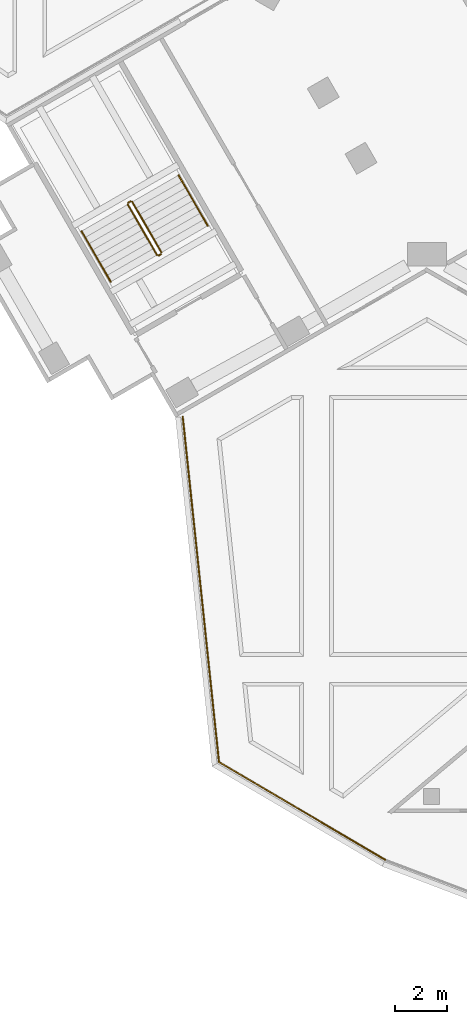
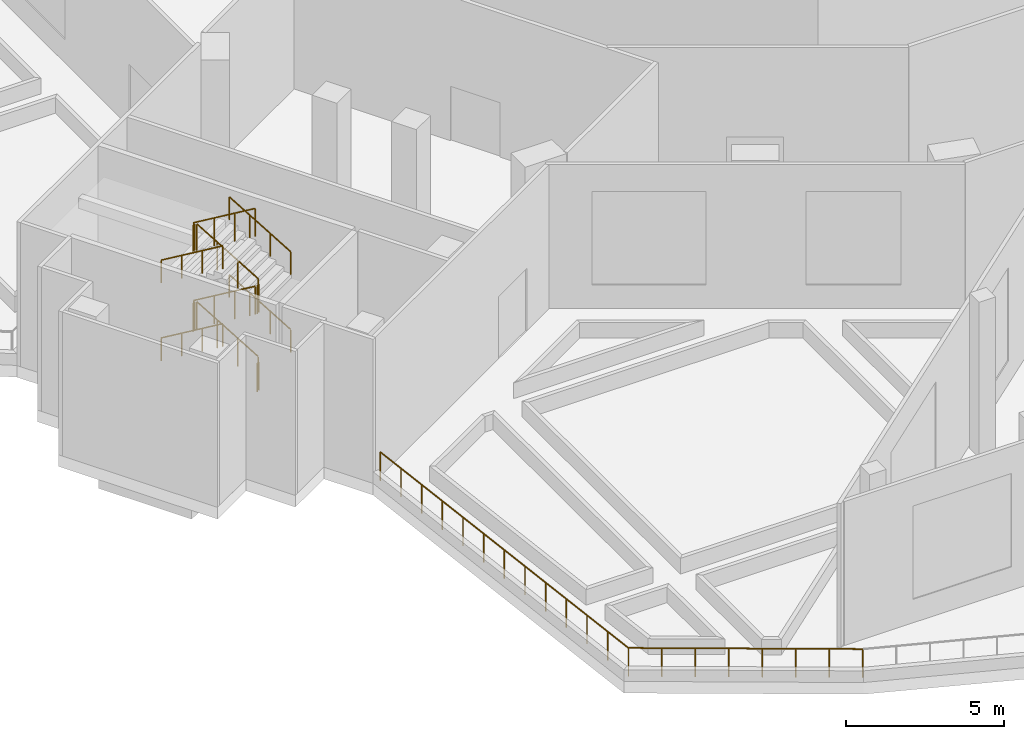
# One storey, part 23 of 29: 14 railings.
"""IFC4 building model written with IfcOpenShell, lengths in metres."""

from ifc_helpers import new_model, si_unit, direction, frame, origin, origin_2d, place, context, subcontext, project, spatial, circle, extrude, material, type_object, element, save


model = new_model("IFC4")

# Units and contexts
model_context = context("Model", 3, precision=1e-05, world=origin(), true_north=direction((0.0, 1.0)))
body_context = subcontext(model_context, "Body", "Model", "MODEL_VIEW")
ifc_project = project(units=[si_unit("LENGTHUNIT", "METRE"), si_unit("AREAUNIT", "SQUARE_METRE"), si_unit("VOLUMEUNIT", "CUBIC_METRE"), si_unit("PLANEANGLEUNIT", "RADIAN"), si_unit("MASSUNIT", "GRAM", prefix="KILO")], contexts=[model_context])

# Site, building, storey
site_placement = place(None, origin())
site = spatial("IfcSite", under=ifc_project, at=site_placement, CompositionType="ELEMENT")
building_placement = place(site_placement, origin())
building = spatial("IfcBuilding", under=site, at=building_placement, Name="Verdalira Terraces Hotel", CompositionType="ELEMENT")
storey_placement = place(building_placement, frame((0.0, 0.0, 8.0)))
storey = spatial("IfcBuildingStorey", under=building, at=storey_placement, Name="L01", CompositionType="ELEMENT", Elevation=8.0)

# Railings
ifc_material_1 = material(Name="Stainless steel", Category="steel")
railing_type_1 = type_object("IfcRailingType", Name="Stair guard 1100", PredefinedType="GUARDRAIL", material=ifc_material_1)
railing_1_placement = place(storey_placement, frame((-27.944092, -16.999512, 0.166748)))
element("IfcRailing", 1, at=railing_1_placement, inside=storey, type_object=railing_type_1, Name="L01 PS2 stair guard 1", PredefinedType="GUARDRAIL", context=body_context, shape_type="SweptSolid", body=[
    extrude(circle(Radius=0.023926, at=origin_2d()), frame((0.0, 0.0, 1.076172), z_axis=(-0.429608132, 0.744204538, 0.511465012), x_axis=(-0.866054911, -0.499948889, 0.0)), (0.0, 0.0, 1.0), 2.606689),
    extrude(circle(Radius=0.020996, at=origin_2d()), origin(), (0.0, 0.0, 1.0), 1.052002),
    extrude(circle(Radius=0.020996, at=origin_2d()), frame((-0.373291, 0.646729, 0.444336)), (0.0, 0.0, 1.0), 1.052002),
    extrude(circle(Radius=0.020996, at=origin_2d()), frame((-0.746582, 1.293213, 0.888916)), (0.0, 0.0, 1.0), 1.052002),
    extrude(circle(Radius=0.020996, at=origin_2d()), frame((-1.119873, 1.939941, 1.333252)), (0.0, 0.0, 1.0), 1.052002),
])
railing_2_placement = place(storey_placement, frame((-29.132324, -15.04126, 1.5)))
element("IfcRailing", 2, at=railing_2_placement, inside=storey, type_object=railing_type_1, Name="L01 PS2 stair guard 2", PredefinedType="GUARDRAIL", context=body_context, shape_type="SweptSolid", body=[
    extrude(circle(Radius=0.023926, at=origin_2d()), frame((0.0, 0.0, 1.076172), z_axis=(-0.865982458, -0.500074377, 0.0), x_axis=(0.500074377, -0.865982458, 0.0)), (0.0, 0.0, 1.0), 0.100098),
    extrude(circle(Radius=0.020996, at=origin_2d()), origin(), (0.0, 0.0, 1.0), 1.052002),
    extrude(circle(Radius=0.020996, at=origin_2d()), frame((-0.08667, -0.050049, 0.0)), (0.0, 0.0, 1.0), 1.052002),
])
railing_3_placement = place(storey_placement, frame((-29.237305, -15.159668, 1.666748)))
element("IfcRailing", 3, at=railing_3_placement, inside=storey, type_object=railing_type_1, Name="L01 PS2 stair guard 3", PredefinedType="GUARDRAIL", context=body_context, shape_type="SweptSolid", body=[
    extrude(circle(Radius=0.023926, at=origin_2d()), frame((0.0, 0.0, 1.076172), z_axis=(0.429684499, -0.744174593, 0.511444431), x_axis=(0.866007717, 0.500030633, 0.0)), (0.0, 0.0, 1.0), 2.606934),
    extrude(circle(Radius=0.020996, at=origin_2d()), origin(), (0.0, 0.0, 1.0), 1.052002),
    extrude(circle(Radius=0.020996, at=origin_2d()), frame((0.373291, -0.646729, 0.444336)), (0.0, 0.0, 1.0), 1.052002),
    extrude(circle(Radius=0.020996, at=origin_2d()), frame((0.746826, -1.293213, 0.888916)), (0.0, 0.0, 1.0), 1.052002),
    extrude(circle(Radius=0.020996, at=origin_2d()), frame((1.120117, -1.939941, 1.333252)), (0.0, 0.0, 1.0), 1.052002),
])
railing_4_placement = place(storey_placement, frame((-27.962402, -17.067871, 3.0)))
element("IfcRailing", 4, at=railing_4_placement, inside=storey, type_object=railing_type_1, Name="L01 PS2 stair guard 4", PredefinedType="GUARDRAIL", context=body_context, shape_type="SweptSolid", body=[
    extrude(circle(Radius=0.023926, at=origin_2d()), frame((0.0, 0.0, 1.076172), z_axis=(-0.865370492, -0.501132629, 0.0), x_axis=(0.501132629, -0.865370492, 0.0)), (0.0, 0.0, 1.0), 0.099854),
    extrude(circle(Radius=0.020996, at=origin_2d()), origin(), (0.0, 0.0, 1.0), 1.052002),
    extrude(circle(Radius=0.020996, at=origin_2d()), frame((-0.086426, -0.050049, 0.0)), (0.0, 0.0, 1.0), 1.052002),
])
railing_5_placement = place(storey_placement, frame((-27.944092, -16.999512, 3.166748)))
element("IfcRailing", 5, at=railing_5_placement, inside=storey, type_object=railing_type_1, Name="L01 PS2 stair guard 5", PredefinedType="GUARDRAIL", context=body_context, shape_type="SweptSolid", body=[
    extrude(circle(Radius=0.023926, at=origin_2d()), frame((0.0, 0.0, 1.076172), z_axis=(-0.429608132, 0.744204538, 0.511465012), x_axis=(-0.866054911, -0.499948889, 0.0)), (0.0, 0.0, 1.0), 2.606689),
    extrude(circle(Radius=0.020996, at=origin_2d()), origin(), (0.0, 0.0, 1.0), 1.052002),
    extrude(circle(Radius=0.020996, at=origin_2d()), frame((-0.373291, 0.646729, 0.444336)), (0.0, 0.0, 1.0), 1.052002),
    extrude(circle(Radius=0.020996, at=origin_2d()), frame((-0.746582, 1.293213, 0.888916)), (0.0, 0.0, 1.0), 1.052002),
    extrude(circle(Radius=0.020996, at=origin_2d()), frame((-1.119873, 1.939941, 1.333252)), (0.0, 0.0, 1.0), 1.052002),
])
railing_6_placement = place(storey_placement, frame((-29.132324, -15.04126, 4.5)))
element("IfcRailing", 6, at=railing_6_placement, inside=storey, type_object=railing_type_1, Name="L01 PS2 stair guard 6", PredefinedType="GUARDRAIL", context=body_context, shape_type="SweptSolid", body=[
    extrude(circle(Radius=0.023926, at=origin_2d()), frame((0.0, 0.0, 1.076172), z_axis=(-0.865982458, -0.500074377, 0.0), x_axis=(0.500074377, -0.865982458, 0.0)), (0.0, 0.0, 1.0), 0.100098),
    extrude(circle(Radius=0.020996, at=origin_2d()), origin(), (0.0, 0.0, 1.0), 1.052002),
    extrude(circle(Radius=0.020996, at=origin_2d()), frame((-0.08667, -0.050049, 0.0)), (0.0, 0.0, 1.0), 1.052002),
])
railing_7_placement = place(storey_placement, frame((-29.237305, -15.159668, 4.666748)))
element("IfcRailing", 7, at=railing_7_placement, inside=storey, type_object=railing_type_1, Name="L01 PS2 stair guard 7", PredefinedType="GUARDRAIL", context=body_context, shape_type="SweptSolid", body=[
    extrude(circle(Radius=0.023926, at=origin_2d()), frame((0.0, 0.0, 1.076172), z_axis=(0.429684499, -0.744174593, 0.511444431), x_axis=(0.866007717, 0.500030633, 0.0)), (0.0, 0.0, 1.0), 2.606934),
    extrude(circle(Radius=0.020996, at=origin_2d()), origin(), (0.0, 0.0, 1.0), 1.052002),
    extrude(circle(Radius=0.020996, at=origin_2d()), frame((0.373291, -0.646729, 0.444336)), (0.0, 0.0, 1.0), 1.052002),
    extrude(circle(Radius=0.020996, at=origin_2d()), frame((0.746826, -1.293213, 0.888916)), (0.0, 0.0, 1.0), 1.052002),
    extrude(circle(Radius=0.020996, at=origin_2d()), frame((1.120117, -1.939941, 1.333252)), (0.0, 0.0, 1.0), 1.052002),
])
railing_8_placement = place(storey_placement, frame((-27.962402, -17.067871, 0.0)))
element("IfcRailing", 8, at=railing_8_placement, inside=storey, type_object=railing_type_1, Name="L01 PS2 stair guard 8", PredefinedType="GUARDRAIL", context=body_context, shape_type="SweptSolid", body=[
    extrude(circle(Radius=0.023926, at=origin_2d()), frame((0.0, 0.0, 1.076172), z_axis=(-0.865370492, -0.501132629, 0.0), x_axis=(0.501132629, -0.865370492, 0.0)), (0.0, 0.0, 1.0), 0.099854),
    extrude(circle(Radius=0.020996, at=origin_2d()), origin(), (0.0, 0.0, 1.0), 1.052002),
    extrude(circle(Radius=0.020996, at=origin_2d()), frame((-0.086426, -0.050049, 0.0)), (0.0, 0.0, 1.0), 1.052002),
])
ifc_material_2 = material(Name="Stainless steel", Category="steel")
railing_type_2 = type_object("IfcRailingType", Name="Stair handrail 900", PredefinedType="HANDRAIL", material=ifc_material_2)
railing_9_placement = place(storey_placement, frame((-26.168701, -15.974609, 0.166748)))
element("IfcRailing", 9, at=railing_9_placement, inside=storey, type_object=railing_type_2, Name="L01 PS2 stair handrail 1", PredefinedType="HANDRAIL", context=body_context, shape_type="SweptSolid", body=[
    extrude(circle(Radius=0.023926, at=origin_2d()), frame((0.0, 0.0, 0.875977), z_axis=(-0.429608132, 0.744204538, 0.511465012), x_axis=(-0.866054911, -0.499948889, 0.0)), (0.0, 0.0, 1.0), 2.606689),
    extrude(circle(Radius=0.020996, at=origin_2d()), origin(), (0.0, 0.0, 1.0), 0.851807),
    extrude(circle(Radius=0.020996, at=origin_2d()), frame((-0.373291, 0.646729, 0.444336)), (0.0, 0.0, 1.0), 0.851807),
    extrude(circle(Radius=0.020996, at=origin_2d()), frame((-0.746582, 1.293213, 0.888916)), (0.0, 0.0, 1.0), 0.851807),
    extrude(circle(Radius=0.020996, at=origin_2d()), frame((-1.119873, 1.939941, 1.333252)), (0.0, 0.0, 1.0), 0.851807),
])
railing_10_placement = place(storey_placement, frame((-31.012695, -16.18457, 1.666748)))
element("IfcRailing", 10, at=railing_10_placement, inside=storey, type_object=railing_type_2, Name="L01 PS2 stair handrail 2", PredefinedType="HANDRAIL", context=body_context, shape_type="SweptSolid", body=[
    extrude(circle(Radius=0.023926, at=origin_2d()), frame((0.0, 0.0, 0.875977), z_axis=(0.429684499, -0.744174593, 0.511444431), x_axis=(0.866007717, 0.500030633, 0.0)), (0.0, 0.0, 1.0), 2.606934),
    extrude(circle(Radius=0.020996, at=origin_2d()), origin(), (0.0, 0.0, 1.0), 0.851807),
    extrude(circle(Radius=0.020996, at=origin_2d()), frame((0.373291, -0.646729, 0.444336)), (0.0, 0.0, 1.0), 0.851807),
    extrude(circle(Radius=0.020996, at=origin_2d()), frame((0.746826, -1.293213, 0.888916)), (0.0, 0.0, 1.0), 0.851807),
    extrude(circle(Radius=0.020996, at=origin_2d()), frame((1.120117, -1.939941, 1.333252)), (0.0, 0.0, 1.0), 0.851807),
])
railing_11_placement = place(storey_placement, frame((-26.168701, -15.974609, 3.166748)))
element("IfcRailing", 11, at=railing_11_placement, inside=storey, type_object=railing_type_2, Name="L01 PS2 stair handrail 3", PredefinedType="HANDRAIL", context=body_context, shape_type="SweptSolid", body=[
    extrude(circle(Radius=0.023926, at=origin_2d()), frame((0.0, 0.0, 0.875977), z_axis=(-0.429608132, 0.744204538, 0.511465012), x_axis=(-0.866054911, -0.499948889, 0.0)), (0.0, 0.0, 1.0), 2.606689),
    extrude(circle(Radius=0.020996, at=origin_2d()), origin(), (0.0, 0.0, 1.0), 0.851807),
    extrude(circle(Radius=0.020996, at=origin_2d()), frame((-0.373291, 0.646729, 0.444336)), (0.0, 0.0, 1.0), 0.851807),
    extrude(circle(Radius=0.020996, at=origin_2d()), frame((-0.746582, 1.293213, 0.888916)), (0.0, 0.0, 1.0), 0.851807),
    extrude(circle(Radius=0.020996, at=origin_2d()), frame((-1.119873, 1.939941, 1.333252)), (0.0, 0.0, 1.0), 0.851807),
])
railing_12_placement = place(storey_placement, frame((-31.012695, -16.18457, 4.666748)))
element("IfcRailing", 12, at=railing_12_placement, inside=storey, type_object=railing_type_2, Name="L01 PS2 stair handrail 4", PredefinedType="HANDRAIL", context=body_context, shape_type="SweptSolid", body=[
    extrude(circle(Radius=0.023926, at=origin_2d()), frame((0.0, 0.0, 0.875977), z_axis=(0.429684499, -0.744174593, 0.511444431), x_axis=(0.866007717, 0.500030633, 0.0)), (0.0, 0.0, 1.0), 2.606934),
    extrude(circle(Radius=0.020996, at=origin_2d()), origin(), (0.0, 0.0, 1.0), 0.851807),
    extrude(circle(Radius=0.020996, at=origin_2d()), frame((0.373291, -0.646729, 0.444336)), (0.0, 0.0, 1.0), 0.851807),
    extrude(circle(Radius=0.020996, at=origin_2d()), frame((0.746826, -1.293213, 0.888916)), (0.0, 0.0, 1.0), 0.851807),
    extrude(circle(Radius=0.020996, at=origin_2d()), frame((1.120117, -1.939941, 1.333252)), (0.0, 0.0, 1.0), 0.851807),
])
ifc_material_3 = material(Name="Clear laminated glass", Category="glass")
railing_type_3 = type_object("IfcRailingType", Name="Terrace glass guard 1120", PredefinedType="GUARDRAIL", material=ifc_material_3)
railing_13_placement = place(storey_placement, frame((-27.128906, -23.299805, 0.0)))
element("IfcRailing", 13, at=railing_13_placement, inside=storey, type_object=railing_type_3, Name="Terrace guard", PredefinedType="GUARDRAIL", context=body_context, shape_type="SweptSolid", body=[
    extrude(circle(Radius=0.023926, at=origin_2d()), frame((0.0, 0.0, 1.096191), z_axis=(0.104452193, -0.994529909, 0.0), x_axis=(0.994529909, 0.104452193, 0.0)), (0.0, 0.0, 1.0), 13.332275),
    extrude(circle(Radius=0.020996, at=origin_2d()), origin(), (0.0, 0.0, 1.0), 1.072021),
    extrude(circle(Radius=0.020996, at=origin_2d()), frame((0.115967, -1.10498, 0.0)), (0.0, 0.0, 1.0), 1.072021),
    extrude(circle(Radius=0.020996, at=origin_2d()), frame((0.232178, -2.209961, 0.0)), (0.0, 0.0, 1.0), 1.072021),
    extrude(circle(Radius=0.020996, at=origin_2d()), frame((0.348145, -3.314941, 0.0)), (0.0, 0.0, 1.0), 1.072021),
    extrude(circle(Radius=0.020996, at=origin_2d()), frame((0.464111, -4.419678, 0.0)), (0.0, 0.0, 1.0), 1.072021),
    extrude(circle(Radius=0.020996, at=origin_2d()), frame((0.580322, -5.524658, 0.0)), (0.0, 0.0, 1.0), 1.072021),
    extrude(circle(Radius=0.020996, at=origin_2d()), frame((0.696289, -6.629639, 0.0)), (0.0, 0.0, 1.0), 1.072021),
    extrude(circle(Radius=0.020996, at=origin_2d()), frame((0.812256, -7.734619, 0.0)), (0.0, 0.0, 1.0), 1.072021),
    extrude(circle(Radius=0.020996, at=origin_2d()), frame((0.928467, -8.8396, 0.0)), (0.0, 0.0, 1.0), 1.072021),
    extrude(circle(Radius=0.020996, at=origin_2d()), frame((1.044434, -9.944336, 0.0)), (0.0, 0.0, 1.0), 1.072021),
    extrude(circle(Radius=0.020996, at=origin_2d()), frame((1.1604, -11.049316, 0.0)), (0.0, 0.0, 1.0), 1.072021),
    extrude(circle(Radius=0.020996, at=origin_2d()), frame((1.276611, -12.154297, 0.0)), (0.0, 0.0, 1.0), 1.072021),
    extrude(circle(Radius=0.020996, at=origin_2d()), frame((1.392578, -13.259277, 0.0)), (0.0, 0.0, 1.0), 1.072021),
])
railing_14_placement = place(storey_placement, frame((-25.736328, -36.559082, 0.0)))
element("IfcRailing", 14, at=railing_14_placement, inside=storey, type_object=railing_type_3, Name="Terrace guard", PredefinedType="GUARDRAIL", context=body_context, shape_type="SweptSolid", body=[
    extrude(circle(Radius=0.023926, at=origin_2d()), frame((0.0, 0.0, 1.096191), z_axis=(0.861881645, -0.507109485, 0.0), x_axis=(0.507109485, 0.861881645, 0.0)), (0.0, 0.0, 1.0), 7.402588),
    extrude(circle(Radius=0.020996, at=origin_2d()), origin(), (0.0, 0.0, 1.0), 1.072021),
    extrude(circle(Radius=0.020996, at=origin_2d()), frame((0.911377, -0.536377, 0.0)), (0.0, 0.0, 1.0), 1.072021),
    extrude(circle(Radius=0.020996, at=origin_2d()), frame((1.822998, -1.07251, 0.0)), (0.0, 0.0, 1.0), 1.072021),
    extrude(circle(Radius=0.020996, at=origin_2d()), frame((2.734375, -1.608887, 0.0)), (0.0, 0.0, 1.0), 1.072021),
    extrude(circle(Radius=0.020996, at=origin_2d()), frame((3.645752, -2.14502, 0.0)), (0.0, 0.0, 1.0), 1.072021),
    extrude(circle(Radius=0.020996, at=origin_2d()), frame((4.557129, -2.681396, 0.0)), (0.0, 0.0, 1.0), 1.072021),
    extrude(circle(Radius=0.020996, at=origin_2d()), frame((5.46875, -3.217529, 0.0)), (0.0, 0.0, 1.0), 1.072021),
    extrude(circle(Radius=0.020996, at=origin_2d()), frame((6.380127, -3.753906, 0.0)), (0.0, 0.0, 1.0), 1.072021),
])

save(model, "model.ifc")
